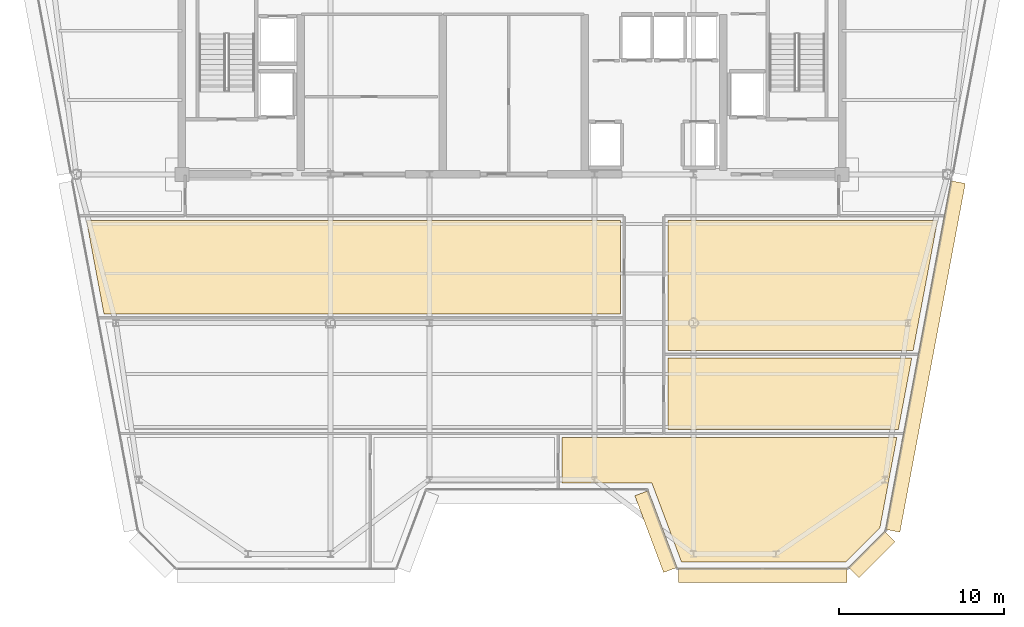
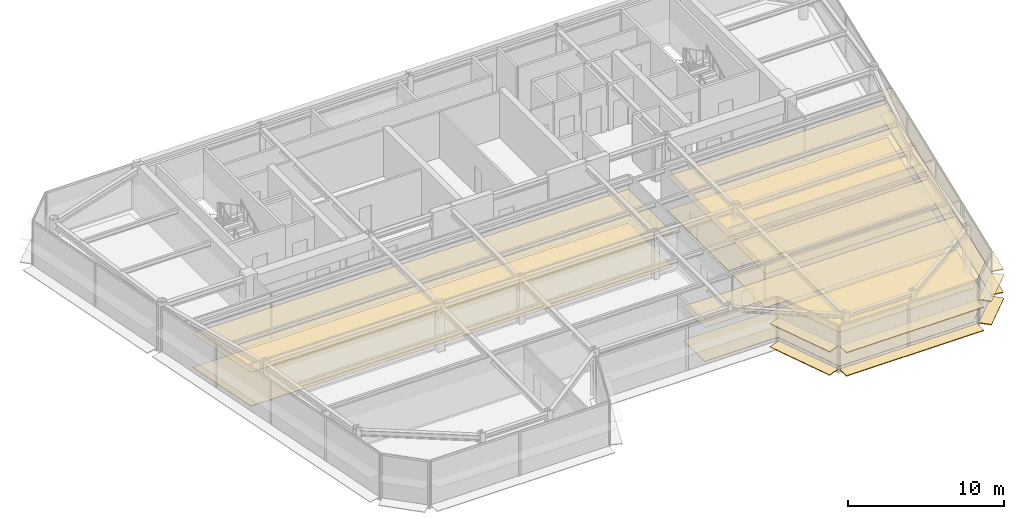
# One storey, part 15 of 19: 16 coverings.
"""IFC4 building model written with IfcOpenShell, lengths in metres."""

from ifc_helpers import new_model, si_unit, direction, frame, origin, origin_2d, place, context, subcontext, project, spatial, polyline, rectangle, outline, extrude, source, transform, mapped, material, layer, layer_set, type_object, element, save


model = new_model("IFC4")

# Units and contexts
model_context = context("Model", 3, precision=1e-05, world=origin(), true_north=direction((0.0, 1.0)))
body_context = subcontext(model_context, "Body", "Model", "MODEL_VIEW")
ifc_project = project(units=[si_unit("LENGTHUNIT", "METRE"), si_unit("AREAUNIT", "SQUARE_METRE"), si_unit("VOLUMEUNIT", "CUBIC_METRE"), si_unit("PLANEANGLEUNIT", "RADIAN"), si_unit("MASSUNIT", "GRAM", prefix="KILO")], contexts=[model_context])

# Site, building, storey
site_placement = place(None, origin())
site = spatial("IfcSite", under=ifc_project, at=site_placement, CompositionType="ELEMENT")
building_placement = place(site_placement, origin())
building = spatial("IfcBuilding", under=site, at=building_placement, Name="Vaeldorn Concourse Tower", CompositionType="ELEMENT")
storey_placement = place(building_placement, frame((0.0, 0.0, 287.800048828125)))
storey = spatial("IfcBuildingStorey", under=building, at=storey_placement, Name="L74", CompositionType="ELEMENT", Elevation=287.800048828125)

# Coverings
ifc_material_1 = material(Name="Acoustic Mineral Fibre Board", Category="gypsum")
ifc_layer_1 = layer(ifc_material_1, 0.0400390625)
ifc_layer_set_1 = layer_set([ifc_layer_1], Name="Acoustic Mineral Fibre Board")
covering_type_1 = type_object("IfcCoveringType", Name="COV-CEIL-ACOUSTIC", PredefinedType="CEILING", material=ifc_layer_set_1)
covering_1_placement = place(storey_placement, frame((0.0, 0.0, 2.64990234375)))
element("IfcCovering", 1, at=covering_1_placement, inside=storey, type_object=covering_type_1, Name="Suspended Acoustic Ceiling L74-6", PredefinedType="CEILING", context=body_context, shape_type="SweptSolid", body=[
    extrude(outline(polyline([(40.56005859375, 33.699951171875), (40.56005859375, 28.0400390625), (9.27978515625, 28.0400390625), (8.21875, 33.699951171875), (40.56005859375, 33.699951171875)])), origin(), (0.0, 0.0, 1.0), 0.0400390625),
])
covering_2_placement = place(storey_placement, frame((0.0, 0.0, 2.64990234375)))
element("IfcCovering", 2, at=covering_2_placement, inside=storey, type_object=covering_type_1, Name="Suspended Acoustic Ceiling L74-7", PredefinedType="CEILING", context=body_context, shape_type="SweptSolid", body=[
    extrude(outline(polyline([(43.43994140625, 21.0400390625), (43.43994140625, 25.360107421875), (58.2177734375, 25.360107421875), (57.407958984375, 21.0400390625), (43.43994140625, 21.0400390625)])), origin(), (0.0, 0.0, 1.0), 0.0400390625),
])
covering_3_placement = place(storey_placement, frame((0.0, 0.0, 2.64990234375)))
element("IfcCovering", 3, at=covering_3_placement, inside=storey, type_object=covering_type_1, Name="Suspended Acoustic Ceiling L74-8", PredefinedType="CEILING", context=body_context, shape_type="SweptSolid", body=[
    extrude(outline(polyline([(43.43994140625, 25.840087890625), (43.43994140625, 33.699951171875), (59.78125, 33.699951171875), (58.307861328125, 25.840087890625), (43.43994140625, 25.840087890625)])), origin(), (0.0, 0.0, 1.0), 0.0400390625),
])
covering_4_placement = place(storey_placement, frame((0.0, 0.0, 2.64990234375)))
element("IfcCovering", 4, at=covering_4_placement, inside=storey, type_object=covering_type_1, Name="Suspended Acoustic Ceiling L74-11", PredefinedType="CEILING", context=body_context, shape_type="SweptSolid", body=[
    extrude(outline(polyline([(37.0400390625, 20.56005859375), (57.318115234375, 20.56005859375), (56.4521484375, 15.941162109375), (56.4521484375, 15.941162109375), (56.293701171875, 15.09521484375), (54.1982421875, 13.0), (44.277099609375, 13.0), (42.477294921875, 17.800048828125), (37.0400390625, 17.800048828125), (37.0400390625, 20.56005859375)])), origin(), (0.0, 0.0, 1.0), 0.0400390625),
])
ifc_material_2 = material(Name="Honed Limestone Terrazzo Flooring", Category="masonry")
ifc_layer_2 = layer(ifc_material_2, 0.0400390625)
ifc_layer_set_2 = layer_set([ifc_layer_2], Name="Honed Limestone Terrazzo Flooring")
covering_type_2 = type_object("IfcCoveringType", Name="COV-FLOOR-STONE", PredefinedType="FLOORING", material=ifc_layer_set_2)
covering_5_placement = place(storey_placement, origin())
element("IfcCovering", 5, at=covering_5_placement, inside=storey, type_object=covering_type_2, Name="Floor Finish Covering L74-6", PredefinedType="FLOORING", context=body_context, shape_type="SweptSolid", body=[
    extrude(outline(polyline([(40.56005859375, 33.699951171875), (40.56005859375, 28.0400390625), (9.27978515625, 28.0400390625), (8.21875, 33.699951171875), (40.56005859375, 33.699951171875)])), origin(), (0.0, 0.0, 1.0), 0.030029296875),
])
covering_6_placement = place(storey_placement, origin())
element("IfcCovering", 6, at=covering_6_placement, inside=storey, type_object=covering_type_2, Name="Floor Finish Covering L74-7", PredefinedType="FLOORING", context=body_context, shape_type="SweptSolid", body=[
    extrude(outline(polyline([(43.43994140625, 21.0400390625), (43.43994140625, 25.360107421875), (58.2177734375, 25.360107421875), (57.407958984375, 21.0400390625), (43.43994140625, 21.0400390625)])), origin(), (0.0, 0.0, 1.0), 0.030029296875),
])
covering_7_placement = place(storey_placement, origin())
element("IfcCovering", 7, at=covering_7_placement, inside=storey, type_object=covering_type_2, Name="Floor Finish Covering L74-8", PredefinedType="FLOORING", context=body_context, shape_type="SweptSolid", body=[
    extrude(outline(polyline([(43.43994140625, 25.840087890625), (43.43994140625, 33.699951171875), (59.78125, 33.699951171875), (58.307861328125, 25.840087890625), (43.43994140625, 25.840087890625)])), origin(), (0.0, 0.0, 1.0), 0.030029296875),
])
covering_8_placement = place(storey_placement, origin())
element("IfcCovering", 8, at=covering_8_placement, inside=storey, type_object=covering_type_2, Name="Floor Finish Covering L74-11", PredefinedType="FLOORING", context=body_context, shape_type="SweptSolid", body=[
    extrude(outline(polyline([(37.0400390625, 20.56005859375), (57.318115234375, 20.56005859375), (56.4521484375, 15.941162109375), (56.4521484375, 15.941162109375), (56.293701171875, 15.09521484375), (54.1982421875, 13.0), (44.277099609375, 13.0), (42.477294921875, 17.800048828125), (37.0400390625, 17.800048828125), (37.0400390625, 20.56005859375)])), origin(), (0.0, 0.0, 1.0), 0.030029296875),
])
ifc_material_3 = material(Name="Anodised Bronze Aluminium", Category="aluminium")
ifc_layer_3 = layer(ifc_material_3, 0.06494140625)
ifc_layer_set_3 = layer_set([ifc_layer_3], Name="Anodised Bronze Aluminium")
covering_type_3 = type_object("IfcCoveringType", Name="SD-BRONZE-SUNSHADE", PredefinedType="USERDEFINED", material=ifc_layer_set_3)
shared_shape_1 = source(origin(), body_context, "Body", "SweptSolid", [
    extrude(rectangle(XDim=4.96630859375, YDim=0.8798828125, at=origin_2d()), origin(), (0.0, 0.0, 1.0), 0.06494140625),
])
for number, where, z_axis, x_axis, name in (
    (9, (42.7255859375, 14.859619140625, 0.04736328125), (0.0, 0.0, 1.0), (0.351122702609, -0.936329454686, 0.0), "Horizontal Bronze Sunshade L74-E04.1.1"),
    (10, (42.7255859375, 14.859619140625, 1.867431640625), (0.0, 0.0, 1.0), (0.351122702609, -0.936329454686, 0.0), "Horizontal Bronze Sunshade L74-E04.1.2"),
):
    element("IfcCovering", number, at=place(storey_placement, frame(where, z_axis=z_axis, x_axis=x_axis)), inside=storey, type_object=covering_type_3, Name=name, ObjectType="SUNSHADE", PredefinedType="USERDEFINED", context=body_context, shape_type="MappedRepresentation", body=[
        mapped(shared_shape_1, transform((0.0, 0.0, 0.0), scale=1.0)),
    ])
shared_shape_2 = source(origin(), body_context, "Body", "SweptSolid", [
    extrude(rectangle(XDim=3.0927734375, YDim=0.8798828125, at=origin_2d()), origin(), (0.0, 0.0, 1.0), 0.06494140625),
])
for number, where, z_axis, x_axis, name in (
    (11, (55.796875, 13.46728515625, 0.04736328125), (0.0, 0.0, 1.0), (0.707106781187, 0.707106781187, 0.0), "Horizontal Bronze Sunshade L74-E06.1.1"),
    (12, (55.796875, 13.46728515625, 1.867431640625), (0.0, 0.0, 1.0), (0.707106781187, 0.707106781187, 0.0), "Horizontal Bronze Sunshade L74-E06.1.2"),
):
    element("IfcCovering", number, at=place(storey_placement, frame(where, z_axis=z_axis, x_axis=x_axis)), inside=storey, type_object=covering_type_3, Name=name, ObjectType="SUNSHADE", PredefinedType="USERDEFINED", context=body_context, shape_type="MappedRepresentation", body=[
        mapped(shared_shape_2, transform((0.0, 0.0, 0.0), scale=1.0)),
    ])
shared_shape_3 = source(origin(), body_context, "Body", "SweptSolid", [
    extrude(rectangle(XDim=21.49560546875, YDim=0.8798828125, at=origin_2d()), origin(), (0.0, 0.0, 1.0), 0.06494140625),
])
for number, where, z_axis, x_axis, name in (
    (13, (59.05224609375, 25.46875, 0.04736328125), (0.0, 0.0, 1.0), (0.1842429853, 0.98288072642, 0.0), "Horizontal Bronze Sunshade L74-E07.1.1"),
    (14, (59.05224609375, 25.46875, 1.867431640625), (0.0, 0.0, 1.0), (0.1842429853, 0.98288072642, 0.0), "Horizontal Bronze Sunshade L74-E07.1.2"),
):
    element("IfcCovering", number, at=place(storey_placement, frame(where, z_axis=z_axis, x_axis=x_axis)), inside=storey, type_object=covering_type_3, Name=name, ObjectType="SUNSHADE", PredefinedType="USERDEFINED", context=body_context, shape_type="MappedRepresentation", body=[
        mapped(shared_shape_3, transform((0.0, 0.0, 0.0), scale=1.0)),
    ])
shared_shape_4 = source(origin(), body_context, "Body", "SweptSolid", [
    extrude(rectangle(XDim=10.2041015625, YDim=0.8798828125, at=origin_2d()), origin(), (0.0, 0.0, 1.0), 0.06494140625),
])
for number, where, z_axis, x_axis, name in (
    (15, (49.181884765625, 12.199951171875, 0.04736328125), (0.0, 0.0, 1.0), (1.0, 0.0, 0.0), "Horizontal Bronze Sunshade L74-E05.1.1"),
    (16, (49.181884765625, 12.199951171875, 1.867431640625), (0.0, 0.0, 1.0), (1.0, 0.0, 0.0), "Horizontal Bronze Sunshade L74-E05.1.2"),
):
    element("IfcCovering", number, at=place(storey_placement, frame(where, z_axis=z_axis, x_axis=x_axis)), inside=storey, type_object=covering_type_3, Name=name, ObjectType="SUNSHADE", PredefinedType="USERDEFINED", context=body_context, shape_type="MappedRepresentation", body=[
        mapped(shared_shape_4, transform((0.0, 0.0, 0.0), scale=1.0)),
    ])

save(model, "model.ifc")
